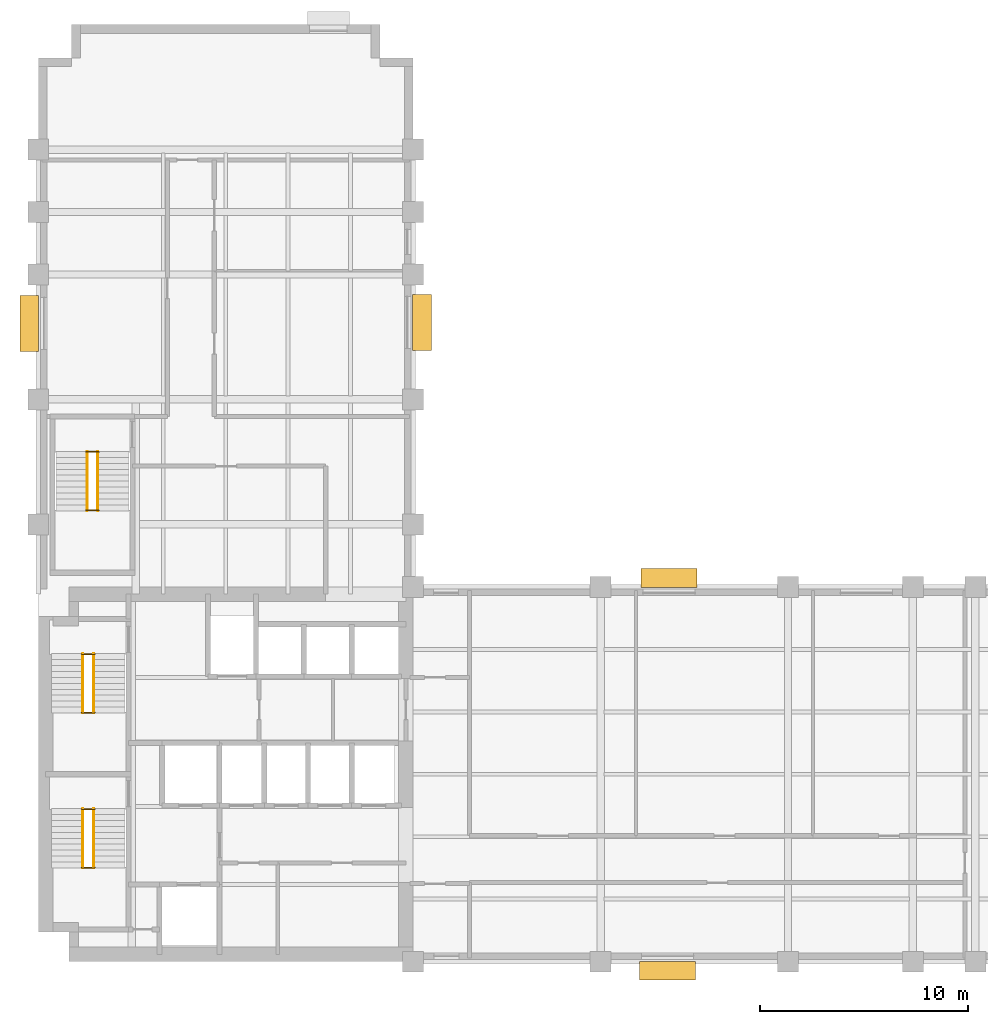
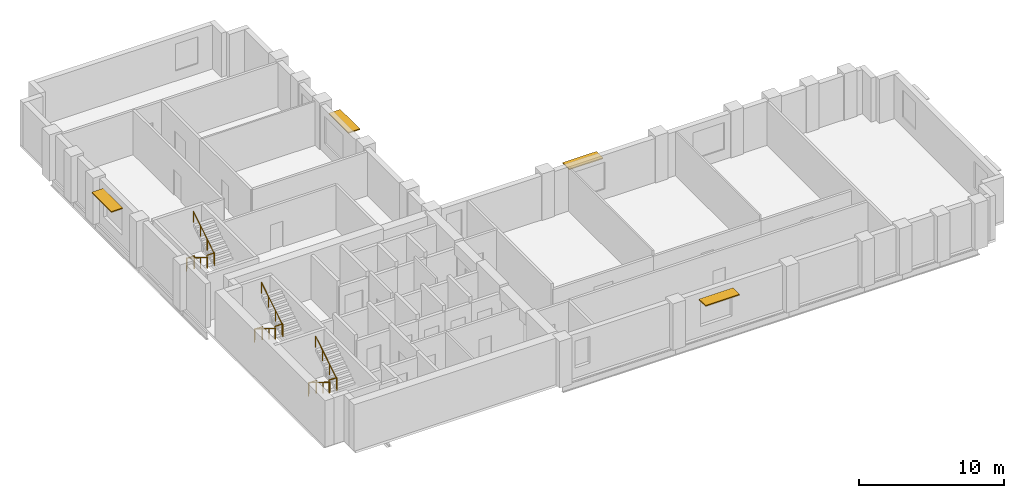
# One storey, part 7 of 8: 12 railings, 4 shading devices.
"""IFC4 building model written with IfcOpenShell, lengths in metres."""

from ifc_helpers import new_model, si_unit, direction, frame, origin, origin_2d, place, context, subcontext, project, spatial, rectangle, circle, extrude, material, layer, layer_set, type_object, element, save


model = new_model("IFC4")

# Units and contexts
model_context = context("Model", 3, precision=1e-05, world=origin(), true_north=direction((0.0, 1.0)))
body_context = subcontext(model_context, "Body", "Model", "MODEL_VIEW")
ifc_project = project(units=[si_unit("LENGTHUNIT", "METRE"), si_unit("AREAUNIT", "SQUARE_METRE"), si_unit("VOLUMEUNIT", "CUBIC_METRE"), si_unit("PLANEANGLEUNIT", "RADIAN"), si_unit("MASSUNIT", "GRAM", prefix="KILO")], contexts=[model_context])

# Site, building, storey
site_placement = place(None, origin())
site = spatial("IfcSite", under=ifc_project, at=site_placement, CompositionType="ELEMENT")
building_placement = place(site_placement, origin())
building = spatial("IfcBuilding", under=site, at=building_placement, Name="Mawjdan Bourse Tower", CompositionType="ELEMENT")
storey_placement = place(building_placement, frame((0.0, 0.0, 144.0)))
storey = spatial("IfcBuildingStorey", under=building, at=storey_placement, Name="L34", CompositionType="ELEMENT", Elevation=144.0)

# Railings
ifc_material_1 = material(Name="Structural Steel S355", Category="steel")
railing_type_1 = type_object("IfcRailingType", Name="RLG-GRD-1100", PredefinedType="GUARDRAIL", material=ifc_material_1)
for number, where, name in (
    (1, (8.090087890625, 7.52001953125, 1.949951171875), "L34 ST1 Landing Guardrail GL-MID"),
    (2, (8.090087890625, 10.330078125, 0.0), "L34 ST1 Landing Guardrail GL-BOT"),
    (3, (8.090087890625, 14.9599609375, 1.949951171875), "L34 ST2 Landing Guardrail GL-MID"),
    (4, (8.090087890625, 17.77001953125, 0.0), "L34 ST2 Landing Guardrail GL-BOT"),
    (5, (8.2900390625, 24.669921875, 1.949951171875), "L34 ST3 Landing Guardrail GL-MID"),
    (6, (8.2900390625, 27.47998046875, 0.0), "L34 ST3 Landing Guardrail GL-BOT"),
):
    element("IfcRailing", number, at=place(storey_placement, frame(where)), inside=storey, type_object=railing_type_1, Name=name, PredefinedType="GUARDRAIL", context=body_context, shape_type="SweptSolid", body=[
        extrude(circle(Radius=0.02490234375, at=origin_2d()), frame((0.0, 0.0, 1.0751953125), z_axis=(1.0, 0.0, 0.0), x_axis=(0.0, 1.0, 0.0)), (0.0, 0.0, 1.0), 0.619873046875),
        extrude(circle(Radius=0.02099609375, at=origin_2d()), origin(), (0.0, 0.0, 1.0), 1.050048828125),
        extrude(circle(Radius=0.02099609375, at=origin_2d()), frame((0.619873046875, 0.0, 0.0)), (0.0, 0.0, 1.0), 1.050048828125),
    ])
ifc_material_2 = material(Name="Brushed Stainless Steel", Category="steel")
railing_type_2 = type_object("IfcRailingType", Name="RLG-HND-920", PredefinedType="HANDRAIL", material=ifc_material_2)
railing_1_placement = place(storey_placement, frame((8.139892578125, 10.35009765625, 0.17724609375)))
element("IfcRailing", 7, at=railing_1_placement, inside=storey, type_object=railing_type_2, Name="L34 ST1 Flight Handrail HR1", PredefinedType="HANDRAIL", context=body_context, shape_type="SweptSolid", body=[
    extrude(circle(Radius=0.0224609375, at=origin_2d()), frame((0.0, 0.0, 0.8974609375), z_axis=(0.0, -0.849148672731, 0.528153890072), x_axis=(1.0, 0.0, 0.0)), (0.0, 0.0, 1.0), 3.3564453125),
    extrude(circle(Radius=0.01904296875, at=origin_2d()), origin(), (0.0, 0.0, 1.0), 0.875),
    extrude(circle(Radius=0.01904296875, at=origin_2d()), frame((0.0, -0.949951171875, 0.5908203125)), (0.0, 0.0, 1.0), 0.875),
    extrude(circle(Radius=0.01904296875, at=origin_2d()), frame((0.0, -1.900146484375, 1.181884765625)), (0.0, 0.0, 1.0), 0.875),
    extrude(circle(Radius=0.01904296875, at=origin_2d()), frame((0.0, -2.85009765625, 1.772705078125)), (0.0, 0.0, 1.0), 0.875),
])
railing_2_placement = place(storey_placement, frame((8.659912109375, 7.5, 2.127197265625)))
element("IfcRailing", 8, at=railing_2_placement, inside=storey, type_object=railing_type_2, Name="L34 ST1 Flight Handrail HR2", PredefinedType="HANDRAIL", context=body_context, shape_type="SweptSolid", body=[
    extrude(circle(Radius=0.0224609375, at=origin_2d()), frame((0.0, 0.0, 0.8974609375), z_axis=(0.0, 0.849148672731, 0.528153890072), x_axis=(-1.0, 0.0, 0.0)), (0.0, 0.0, 1.0), 3.3564453125),
    extrude(circle(Radius=0.01904296875, at=origin_2d()), origin(), (0.0, 0.0, 1.0), 0.875),
    extrude(circle(Radius=0.01904296875, at=origin_2d()), frame((0.0, 0.949951171875, 0.5908203125)), (0.0, 0.0, 1.0), 0.875),
    extrude(circle(Radius=0.01904296875, at=origin_2d()), frame((0.0, 1.900146484375, 1.181884765625)), (0.0, 0.0, 1.0), 0.875),
    extrude(circle(Radius=0.01904296875, at=origin_2d()), frame((0.0, 2.85009765625, 1.772705078125)), (0.0, 0.0, 1.0), 0.875),
])
railing_3_placement = place(storey_placement, frame((8.139892578125, 17.7900390625, 0.17724609375)))
element("IfcRailing", 9, at=railing_3_placement, inside=storey, type_object=railing_type_2, Name="L34 ST2 Flight Handrail HR1", PredefinedType="HANDRAIL", context=body_context, shape_type="SweptSolid", body=[
    extrude(circle(Radius=0.0224609375, at=origin_2d()), frame((0.0, 0.0, 0.8974609375), z_axis=(0.0, -0.849148672731, 0.528153890072), x_axis=(1.0, 0.0, 0.0)), (0.0, 0.0, 1.0), 3.3564453125),
    extrude(circle(Radius=0.01904296875, at=origin_2d()), origin(), (0.0, 0.0, 1.0), 0.875),
    extrude(circle(Radius=0.01904296875, at=origin_2d()), frame((0.0, -0.949951171875, 0.5908203125)), (0.0, 0.0, 1.0), 0.875),
    extrude(circle(Radius=0.01904296875, at=origin_2d()), frame((0.0, -1.900146484375, 1.181884765625)), (0.0, 0.0, 1.0), 0.875),
    extrude(circle(Radius=0.01904296875, at=origin_2d()), frame((0.0, -2.85009765625, 1.772705078125)), (0.0, 0.0, 1.0), 0.875),
])
railing_4_placement = place(storey_placement, frame((8.659912109375, 14.93994140625, 2.127197265625)))
element("IfcRailing", 10, at=railing_4_placement, inside=storey, type_object=railing_type_2, Name="L34 ST2 Flight Handrail HR2", PredefinedType="HANDRAIL", context=body_context, shape_type="SweptSolid", body=[
    extrude(circle(Radius=0.0224609375, at=origin_2d()), frame((0.0, 0.0, 0.8974609375), z_axis=(0.0, 0.849148672731, 0.528153890072), x_axis=(-1.0, 0.0, 0.0)), (0.0, 0.0, 1.0), 3.3564453125),
    extrude(circle(Radius=0.01904296875, at=origin_2d()), origin(), (0.0, 0.0, 1.0), 0.875),
    extrude(circle(Radius=0.01904296875, at=origin_2d()), frame((0.0, 0.949951171875, 0.5908203125)), (0.0, 0.0, 1.0), 0.875),
    extrude(circle(Radius=0.01904296875, at=origin_2d()), frame((0.0, 1.900146484375, 1.181884765625)), (0.0, 0.0, 1.0), 0.875),
    extrude(circle(Radius=0.01904296875, at=origin_2d()), frame((0.0, 2.85009765625, 1.772705078125)), (0.0, 0.0, 1.0), 0.875),
])
railing_5_placement = place(storey_placement, frame((8.340087890625, 27.5, 0.17724609375)))
element("IfcRailing", 11, at=railing_5_placement, inside=storey, type_object=railing_type_2, Name="L34 ST3 Flight Handrail HR1", PredefinedType="HANDRAIL", context=body_context, shape_type="SweptSolid", body=[
    extrude(circle(Radius=0.0224609375, at=origin_2d()), frame((0.0, 0.0, 0.8974609375), z_axis=(0.0, -0.849148672731, 0.528153890072), x_axis=(1.0, 0.0, 0.0)), (0.0, 0.0, 1.0), 3.3564453125),
    extrude(circle(Radius=0.01904296875, at=origin_2d()), origin(), (0.0, 0.0, 1.0), 0.875),
    extrude(circle(Radius=0.01904296875, at=origin_2d()), frame((0.0, -0.949951171875, 0.5908203125)), (0.0, 0.0, 1.0), 0.875),
    extrude(circle(Radius=0.01904296875, at=origin_2d()), frame((0.0, -1.900146484375, 1.181884765625)), (0.0, 0.0, 1.0), 0.875),
    extrude(circle(Radius=0.01904296875, at=origin_2d()), frame((0.0, -2.85009765625, 1.772705078125)), (0.0, 0.0, 1.0), 0.875),
])
railing_6_placement = place(storey_placement, frame((8.860107421875, 24.64990234375, 2.127197265625)))
element("IfcRailing", 12, at=railing_6_placement, inside=storey, type_object=railing_type_2, Name="L34 ST3 Flight Handrail HR2", PredefinedType="HANDRAIL", context=body_context, shape_type="SweptSolid", body=[
    extrude(circle(Radius=0.0224609375, at=origin_2d()), frame((0.0, 0.0, 0.8974609375), z_axis=(0.0, 0.849148672731, 0.528153890072), x_axis=(-1.0, 0.0, 0.0)), (0.0, 0.0, 1.0), 3.3564453125),
    extrude(circle(Radius=0.01904296875, at=origin_2d()), origin(), (0.0, 0.0, 1.0), 0.875),
    extrude(circle(Radius=0.01904296875, at=origin_2d()), frame((0.0, 0.949951171875, 0.5908203125)), (0.0, 0.0, 1.0), 0.875),
    extrude(circle(Radius=0.01904296875, at=origin_2d()), frame((0.0, 1.900146484375, 1.181884765625)), (0.0, 0.0, 1.0), 0.875),
    extrude(circle(Radius=0.01904296875, at=origin_2d()), frame((0.0, 2.85009765625, 1.772705078125)), (0.0, 0.0, 1.0), 0.875),
])

# Shading devices
ifc_material_3 = material(Name="Bronze Anodised Aluminium", Category="aluminium")
ifc_layer = layer(ifc_material_3, 0.0849609375)
ifc_layer_set = layer_set([ifc_layer], Name="Bronze Anodised Aluminium")
shading_device_type = type_object("IfcShadingDeviceType", Name="SHD-SUN-900", PredefinedType="USERDEFINED", material=ifc_layer_set)
for number, where, z_axis, x_axis, name in (
    (13, (36.221435546875, 2.570068359375, 3.10009765625), (0.0, 0.0, 1.0), (1.0, 0.0, 0.0), "L34 Solar Window Hood 01"),
    (14, (36.28564453125, 21.429931640625, 3.10009765625), (0.0, 0.0, 1.0), (-1.0, 0.0, 0.0), "L34 Solar Window Hood 04"),
    (15, (24.429931640625, 33.699951171875, 3.10009765625), (0.0, 0.0, 1.0), (0.0, 1.0, 0.0), "L34 Solar Window Hood 05"),
    (16, (5.570068359375, 33.64990234375, 3.10009765625), (0.0, 0.0, 1.0), (0.0, -1.0, 0.0), "L34 Solar Window Hood 07"),
):
    element("IfcShadingDevice", number, at=place(storey_placement, frame(where, z_axis=z_axis, x_axis=x_axis)), inside=storey, type_object=shading_device_type, Name=name, ObjectType="SUNSHADE", PredefinedType="USERDEFINED", context=body_context, shape_type="SweptSolid", body=[
        extrude(rectangle(XDim=2.699951171875, YDim=0.89990234375, at=origin_2d()), origin(), (0.0, 0.0, 1.0), 0.0849609375),
    ])

save(model, "model.ifc")
